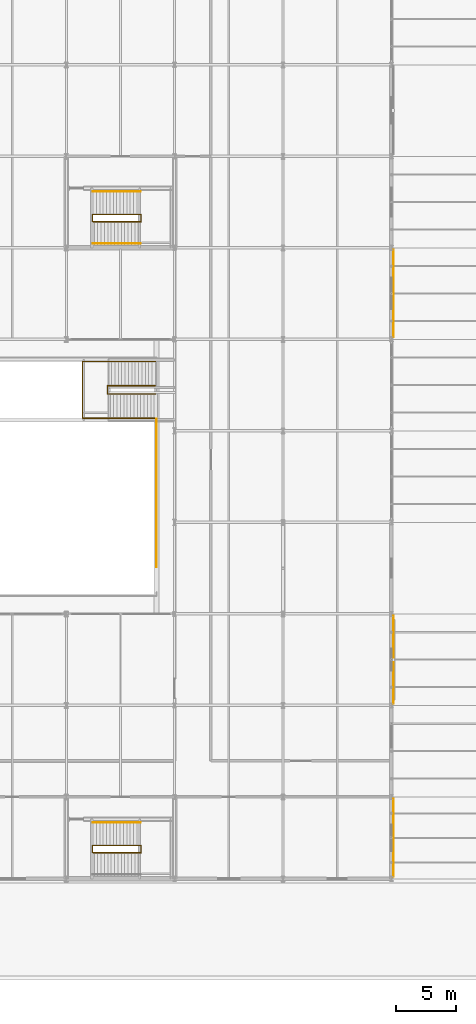
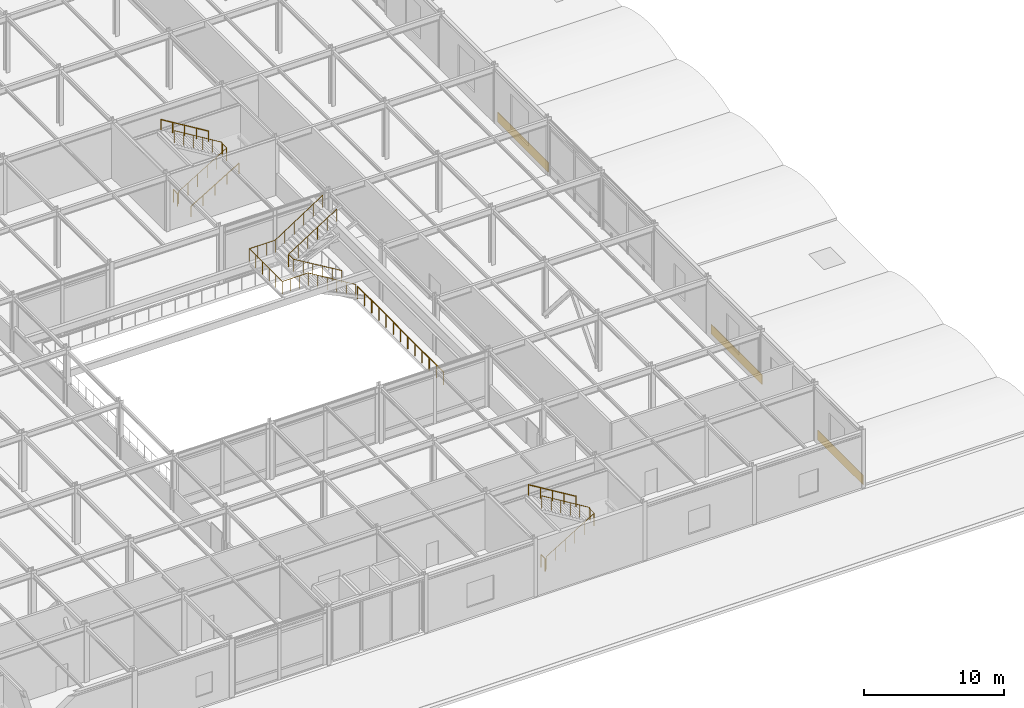
# One storey, part 112 of 113: 10 railings, 3 coverings.
"""IFC4 building model written with IfcOpenShell, lengths in metres."""

import ifcopenshell
import ifcopenshell.guid

model = None  # the IFC model being written
_history = None  # IfcOwnerHistory: only IFC2X3 demands one
_inside = {}  # id of a spatial element -> (the spatial element, [elements in it])
_under = {}  # id of a project, library or spatial element -> (it, [spatial elements below it])
_declared = {}  # id of a project -> (the project, [libraries it declares])
_typed = {}  # id of a type object -> (the type object, [elements of that type])
_made_of = {}  # id of a material, layer set ... -> (it, [elements and type objects made of it])


def new_model(schema):
    """Start an empty IFC model of exactly this schema.

    Asked for "IFC4X3", IfcOpenShell would pick the latest addendum, in which some entities
    have other attributes; the version numbers below select the first issue.
    IFC2X3 requires an IfcOwnerHistory on every rooted entity: one is made here for all.
    """
    global model, _history
    if schema == "IFC4X3":
        model = ifcopenshell.file(schema_version=(4, 3, 0, 0))
    else:
        model = ifcopenshell.file(schema=schema)
    _inside.clear()
    _under.clear()
    _declared.clear()
    _typed.clear()
    _made_of.clear()
    _history = None
    if model.schema == "IFC2X3":
        org = make("IfcOrganization", Name="unknown")
        user = make(
            "IfcPersonAndOrganization",
            ThePerson=make("IfcPerson", FamilyName="unknown"),
            TheOrganization=org,
        )
        app = make(
            "IfcApplication",
            ApplicationDeveloper=org,
            Version="unknown",
            ApplicationFullName="unknown",
            ApplicationIdentifier="unknown",
        )
        _history = make(
            "IfcOwnerHistory",
            OwningUser=user,
            OwningApplication=app,
            ChangeAction="ADDED",
            CreationDate=0,
        )
    return model


def make(cls, **values):
    """One entity of the class cls with the attributes given. An attribute that is None is left unset."""
    return model.create_entity(
        cls, **{name: value for name, value in values.items() if value is not None}
    )


def rooted(cls, **values):
    """An entity with a GlobalId (a new one), such as an element, a storey or a relation."""
    return make(cls, GlobalId=ifcopenshell.guid.new(), OwnerHistory=_history, **values)


def si_unit(unit_type, name, prefix=None):
    """IfcSIUnit, for example si_unit("LENGTHUNIT", "METRE", prefix="MILLI")."""
    return make("IfcSIUnit", UnitType=unit_type, Prefix=prefix, Name=name)


def assignment(units):
    """IfcUnitAssignment: the units of a project."""
    return None if units is None else make("IfcUnitAssignment", Units=units)


def point(xyz):
    """IfcCartesianPoint."""
    return None if xyz is None else make("IfcCartesianPoint", Coordinates=xyz)


def direction(xyz):
    """IfcDirection."""
    return None if xyz is None else make("IfcDirection", DirectionRatios=xyz)


def frame(location, z_axis=None, x_axis=None):
    """IfcAxis2Placement3D, a coordinate frame: its origin and axes. An axis left out is left unset."""
    return make(
        "IfcAxis2Placement3D",
        Location=point(location),
        Axis=direction(z_axis),
        RefDirection=direction(x_axis),
    )


def frame_2d(location, x_axis=None):
    """IfcAxis2Placement2D, a coordinate frame in the plane: its origin and x axis."""
    return make(
        "IfcAxis2Placement2D", Location=point(location), RefDirection=direction(x_axis)
    )


def origin():
    """The frame at (0, 0, 0) with its axes left unset."""
    return frame((0.0, 0.0, 0.0))


def origin_2d():
    """The frame at (0, 0) in the plane with its x axis left unset."""
    return frame_2d((0.0, 0.0))


def place(relative_to, where):
    """IfcLocalPlacement: puts the frame where relative to a parent placement (None: the world)."""
    return make(
        "IfcLocalPlacement", PlacementRelTo=relative_to, RelativePlacement=where
    )


def context(
    kind, dimensions, precision=None, world=None, true_north=None, identifier=None
):
    """IfcGeometricRepresentationContext, for example the 3D "Model" context."""
    return make(
        "IfcGeometricRepresentationContext",
        ContextIdentifier=identifier,
        ContextType=kind,
        CoordinateSpaceDimension=dimensions,
        Precision=precision,
        WorldCoordinateSystem=world,
        TrueNorth=true_north,
    )


def subcontext(parent, identifier, kind, view, scale=None):
    """IfcGeometricRepresentationSubContext, for example "Body" below "Model"."""
    return make(
        "IfcGeometricRepresentationSubContext",
        ContextIdentifier=identifier,
        ContextType=kind,
        ParentContext=parent,
        TargetScale=scale,
        TargetView=view,
    )


def project(units=None, contexts=None):
    """IfcProject with its units and contexts."""
    return rooted(
        "IfcProject",
        Name="project",
        RepresentationContexts=contexts,
        UnitsInContext=assignment(units),
    )


def spatial(cls, under=None, at=None, **own):
    """A site, building, storey or space (cls), placed at a placement, below another one or the project."""
    s = rooted(cls, ObjectPlacement=at, **own)
    if under is not None:
        _under.setdefault(under.id(), (under, []))[1].append(s)
    return s


def profile(cls, at=None, kind="AREA", **sizes):
    """A parametric profile (cls). Its sizes go by their IFC names, for example OverallWidth=200.0."""
    return make(cls, ProfileType=kind, Position=at, **sizes)


def rectangle(**sizes):
    """IfcRectangleProfileDef."""
    return profile("IfcRectangleProfileDef", **sizes)


def circle(**sizes):
    """IfcCircleProfileDef."""
    return profile("IfcCircleProfileDef", **sizes)


def extrude(swept, where, along, depth):
    """IfcExtrudedAreaSolid: the profile swept, set in the frame where, extruded along a direction by depth."""
    return make(
        "IfcExtrudedAreaSolid",
        SweptArea=swept,
        Position=where,
        ExtrudedDirection=direction(along),
        Depth=depth,
    )


def shape(context_of_items, identifier, shape_type, items):
    """IfcShapeRepresentation: the items that make up one representation, for example the "Body"."""
    return make(
        "IfcShapeRepresentation",
        ContextOfItems=context_of_items,
        RepresentationIdentifier=identifier,
        RepresentationType=shape_type,
        Items=items,
    )


def material(Name=None, Category=None):
    """IfcMaterial."""
    return make("IfcMaterial", Name=Name, Category=Category)


def layer(
    of_material, thickness, ventilated=None, Name=None, Category=None, Priority=None
):
    """IfcMaterialLayer: one layer of a wall or slab, of a material (None: an air gap)."""
    return make(
        "IfcMaterialLayer",
        Material=of_material,
        LayerThickness=thickness,
        IsVentilated=ventilated,
        Name=Name,
        Category=Category,
        Priority=Priority,
    )


def layer_set(layers, Name=None):
    """IfcMaterialLayerSet."""
    return make("IfcMaterialLayerSet", MaterialLayers=layers, LayerSetName=Name)


def made_of(thing, what):
    """Note that an element or type object is made of a material, layer set ...; save() writes the relation."""
    if what is not None:
        _made_of.setdefault(what.id(), (what, []))[1].append(thing)
    return thing


def type_object(cls, material=None, **own):
    """A type object (cls), such as IfcWallType, which elements share."""
    return made_of(rooted(cls, **own), material)


def element(
    cls,
    number,
    at=None,
    inside=None,
    cuts=None,
    type_object=None,
    material=None,
    context=None,
    identifier="Body",
    shape_type=None,
    held_by="IfcProductDefinitionShape",
    body=None,
    shapes=None,
    **own,
):
    """One element of the class cls, such as IfcWall. Its Tag is "e" and its number.

    at: its placement. inside: the storey or other place that contains it. cuts: it is an
    opening in that element (IfcRelVoidsElement). A single representation is given by context,
    identifier, shape_type and body (its items); several are given by shapes. held_by: the class
    of the entity that holds the representations. save() writes the other relations.
    """
    e = rooted(cls, Tag="e%d" % number, ObjectPlacement=at, **own)
    if body is not None:
        shapes = [shape(context, identifier, shape_type, body)]
    if shapes is not None:
        e.Representation = make(held_by, Representations=shapes)
    if inside is not None:
        _inside.setdefault(inside.id(), (inside, []))[1].append(e)
    if cuts is not None:
        rooted(
            "IfcRelVoidsElement", RelatingBuildingElement=cuts, RelatedOpeningElement=e
        )
    if type_object is not None:
        _typed.setdefault(type_object.id(), (type_object, []))[1].append(e)
    return made_of(e, material)


def aggregate(whole, parts):
    """IfcRelAggregates: a whole, such as a stair, and the parts it consists of."""
    return rooted("IfcRelAggregates", RelatingObject=whole, RelatedObjects=parts)


def save(model, path):
    """Write the relations noted so far, then the file.

    IfcRelAggregates (storeys below a building ...), IfcRelContainedInSpatialStructure (elements
    in a storey), IfcRelDefinesByType, IfcRelAssociatesMaterial and IfcRelDeclares: one each for
    every whole, place, type object, material and project.
    """
    for whole, parts in _under.values():
        aggregate(whole, parts)
    for where, things in _inside.values():
        rooted(
            "IfcRelContainedInSpatialStructure",
            RelatedElements=things,
            RelatingStructure=where,
        )
    for kind, things in _typed.values():
        rooted("IfcRelDefinesByType", RelatedObjects=things, RelatingType=kind)
    for what, things in _made_of.values():
        rooted("IfcRelAssociatesMaterial", RelatedObjects=things, RelatingMaterial=what)
    for by, libraries in _declared.values():
        rooted("IfcRelDeclares", RelatingContext=by, RelatedDefinitions=libraries)
    model.write(path)


model = new_model("IFC4")

# Units and contexts
model_context = context("Model", 3, precision=1e-05, world=origin(), true_north=direction((0.0, 1.0)))
body_context = subcontext(model_context, "Body", "Model", "MODEL_VIEW")
ifc_project = project(units=[si_unit("LENGTHUNIT", "METRE"), si_unit("AREAUNIT", "SQUARE_METRE"), si_unit("VOLUMEUNIT", "CUBIC_METRE"), si_unit("PLANEANGLEUNIT", "RADIAN"), si_unit("MASSUNIT", "GRAM", prefix="KILO")], contexts=[model_context])

# Site, building, storey
site_placement = place(None, origin())
site = spatial("IfcSite", under=ifc_project, at=site_placement, CompositionType="ELEMENT")
building_placement = place(site_placement, origin())
building = spatial("IfcBuilding", under=site, at=building_placement, Name="Shalkamar Park Central Library", CompositionType="ELEMENT")
storey_placement = place(building_placement, frame((0.0, 0.0, 5.39990234375)))
storey = spatial("IfcBuildingStorey", under=building, at=storey_placement, Name="L02", CompositionType="ELEMENT", Elevation=5.39990234375)

# Railing
ifc_material_1 = material(Name="Steel S355", Category="steel")
railing_type_1 = type_object("IfcRailingType", Name="Atrium Balustrade Guard 1100", PredefinedType="GUARDRAIL", material=ifc_material_1)
railing_1_placement = place(storey_placement, frame((253.5, 274.300048828125, 0.0)))
element("IfcRailing", 1, at=railing_1_placement, inside=storey, type_object=railing_type_1, Name="Atrium Void Balustrade L02 East Mid", PredefinedType="GUARDRAIL", context=body_context, shape_type="SweptSolid", body=[
    extrude(circle(Radius=0.02392578125, at=origin_2d()), frame((0.0, 0.0, 1.076171875), z_axis=(0.0, 1.0, 0.0), x_axis=(-1.0, 0.0, 0.0)), (0.0, 0.0, 1.0), 12.300048828125),
    extrude(circle(Radius=0.02099609375, at=origin_2d()), origin(), (0.0, 0.0, 1.0), 1.052001953125),
    extrude(circle(Radius=0.02099609375, at=origin_2d()), frame((0.0, 1.02490234375, 0.0)), (0.0, 0.0, 1.0), 1.052001953125),
    extrude(circle(Radius=0.02099609375, at=origin_2d()), frame((0.0, 2.050048828125, 0.0)), (0.0, 0.0, 1.0), 1.052001953125),
    extrude(circle(Radius=0.02099609375, at=origin_2d()), frame((0.0, 3.074951171875, 0.0)), (0.0, 0.0, 1.0), 1.052001953125),
    extrude(circle(Radius=0.02099609375, at=origin_2d()), frame((0.0, 4.10009765625, 0.0)), (0.0, 0.0, 1.0), 1.052001953125),
    extrude(circle(Radius=0.02099609375, at=origin_2d()), frame((0.0, 5.125, 0.0)), (0.0, 0.0, 1.0), 1.052001953125),
    extrude(circle(Radius=0.02099609375, at=origin_2d()), frame((0.0, 6.14990234375, 0.0)), (0.0, 0.0, 1.0), 1.052001953125),
    extrude(circle(Radius=0.02099609375, at=origin_2d()), frame((0.0, 7.175048828125, 0.0)), (0.0, 0.0, 1.0), 1.052001953125),
    extrude(circle(Radius=0.02099609375, at=origin_2d()), frame((0.0, 8.199951171875, 0.0)), (0.0, 0.0, 1.0), 1.052001953125),
    extrude(circle(Radius=0.02099609375, at=origin_2d()), frame((0.0, 9.22509765625, 0.0)), (0.0, 0.0, 1.0), 1.052001953125),
    extrude(circle(Radius=0.02099609375, at=origin_2d()), frame((0.0, 10.25, 0.0)), (0.0, 0.0, 1.0), 1.052001953125),
    extrude(circle(Radius=0.02099609375, at=origin_2d()), frame((0.0, 11.275146484375, 0.0)), (0.0, 0.0, 1.0), 1.052001953125),
    extrude(circle(Radius=0.02099609375, at=origin_2d()), frame((0.0, 12.300048828125, 0.0)), (0.0, 0.0, 1.0), 1.052001953125),
])

# Coverings
ifc_material_2 = material(Name="Granite and travertine stone cladding", Category="masonry")
ifc_layer = layer(ifc_material_2, 0.0400390625)
ifc_layer_set = layer_set([ifc_layer], Name="GraniteTravertineCladdingPanel")
covering_type = type_object("IfcCoveringType", Name="Granite Travertine Cladding Panel", PredefinedType="CLADDING", material=ifc_layer_set)
covering_placement = place(storey_placement, frame((273.160888671875, 251.800048828125, 0.0), z_axis=(0.0, 0.0, 1.0), x_axis=(1.0, 0.0, 0.0)))
element("IfcCovering", 2, at=covering_placement, inside=storey, type_object=covering_type, Name="Granite and Travertine Cladding Panel L02-014", PredefinedType="CLADDING", context=body_context, shape_type="SweptSolid", body=[
    extrude(rectangle(XDim=0.0400390625, YDim=6.488037109375, at=origin_2d()), origin(), (0.0, 0.0, 1.0), 0.85009765625),
])
for number, where, z_axis, x_axis, name in (
    (3, (273.160888671875, 266.60009765625, 0.0), (0.0, 0.0, 1.0), (1.0, 0.0, 0.0), "Granite and Travertine Cladding Panel L02-015"),
    (4, (273.160888671875, 297.0, 0.0), (0.0, 0.0, 1.0), (1.0, 0.0, 0.0), "Granite and Travertine Cladding Panel L02-016"),
):
    element("IfcCovering", number, at=place(storey_placement, frame(where, z_axis=z_axis, x_axis=x_axis)), inside=storey, type_object=covering_type, Name=name, PredefinedType="CLADDING", context=body_context, shape_type="SweptSolid", body=[
        extrude(rectangle(XDim=0.0400390625, YDim=7.2880859375, at=origin_2d()), origin(), (0.0, 0.0, 1.0), 0.85009765625),
    ])

# Railings
railing_type_2 = type_object("IfcRailingType", Name="Stair Guardrail 1100", PredefinedType="GUARDRAIL", material=ifc_material_1)
railing_2_placement = place(storey_placement, frame((248.22509765625, 250.56494140625, 0.170166015625)))
element("IfcRailing", 5, at=railing_2_placement, inside=storey, type_object=railing_type_2, Name="Stair Inner Well Guardrail ST-P3-L02", PredefinedType="GUARDRAIL", context=body_context, shape_type="SweptSolid", body=[
    extrude(circle(Radius=0.02392578125, at=origin_2d()), frame((0.0, 0.0, 1.076171875), z_axis=(0.854794262968, 0.0, 0.518967020143), x_axis=(0.0, 1.0, 0.0)), (0.0, 0.0, 1.0), 4.585693359375),
    extrude(circle(Radius=0.02392578125, at=origin_2d()), frame((3.919921875, 0.0, 3.4560546875), z_axis=(1.0, 0.0, 0.0), x_axis=(0.0, 1.0, 0.0)), (0.0, 0.0, 1.0), 0.06005859375),
    extrude(circle(Radius=0.02392578125, at=origin_2d()), frame((3.97998046875, 0.0, 3.4560546875), z_axis=(0.0, 1.0, 0.0), x_axis=(-1.0, 0.0, 0.0)), (0.0, 0.0, 1.0), 0.6201171875),
    extrude(circle(Radius=0.02392578125, at=origin_2d()), frame((3.97998046875, 0.6201171875, 3.4560546875), z_axis=(-0.332820117735, 0.0, 0.942990333583), x_axis=(0.0, -1.0, 0.0)), (0.0, 0.0, 1.0), 0.180419921875),
    extrude(circle(Radius=0.02392578125, at=origin_2d()), frame((3.919921875, 0.6201171875, 3.6259765625), z_axis=(-0.854794262968, 0.0, 0.518967020143), x_axis=(0.0, -1.0, 0.0)), (0.0, 0.0, 1.0), 4.585693359375),
    extrude(circle(Radius=0.02099609375, at=origin_2d()), origin(), (0.0, 0.0, 1.0), 1.052001953125),
    extrude(circle(Radius=0.02099609375, at=origin_2d()), frame((0.783935546875, 0.0, 0.47607421875)), (0.0, 0.0, 1.0), 1.052001953125),
    extrude(circle(Radius=0.02099609375, at=origin_2d()), frame((1.56787109375, 0.0, 0.951904296875)), (0.0, 0.0, 1.0), 1.052001953125),
    extrude(circle(Radius=0.02099609375, at=origin_2d()), frame((2.35205078125, 0.0, 1.427978515625)), (0.0, 0.0, 1.0), 1.052001953125),
    extrude(circle(Radius=0.02099609375, at=origin_2d()), frame((3.135986328125, 0.0, 1.90380859375)), (0.0, 0.0, 1.0), 1.052001953125),
    extrude(circle(Radius=0.02099609375, at=origin_2d()), frame((3.919921875, 0.0, 2.3798828125)), (0.0, 0.0, 1.0), 1.052001953125),
    extrude(circle(Radius=0.02099609375, at=origin_2d()), frame((3.97998046875, 0.0, 2.3798828125)), (0.0, 0.0, 1.0), 1.052001953125),
    extrude(circle(Radius=0.02099609375, at=origin_2d()), frame((3.97998046875, 0.6201171875, 2.3798828125)), (0.0, 0.0, 1.0), 1.052001953125),
    extrude(circle(Radius=0.02099609375, at=origin_2d()), frame((3.919921875, 0.6201171875, 2.550048828125)), (0.0, 0.0, 1.0), 1.052001953125),
    extrude(circle(Radius=0.02099609375, at=origin_2d()), frame((3.135986328125, 0.6201171875, 3.026123046875)), (0.0, 0.0, 1.0), 1.052001953125),
    extrude(circle(Radius=0.02099609375, at=origin_2d()), frame((2.35205078125, 0.6201171875, 3.501953125)), (0.0, 0.0, 1.0), 1.052001953125),
    extrude(circle(Radius=0.02099609375, at=origin_2d()), frame((1.56787109375, 0.6201171875, 3.97802734375)), (0.0, 0.0, 1.0), 1.052001953125),
    extrude(circle(Radius=0.02099609375, at=origin_2d()), frame((0.783935546875, 0.6201171875, 4.453857421875)), (0.0, 0.0, 1.0), 1.052001953125),
    extrude(circle(Radius=0.02099609375, at=origin_2d()), frame((0.0, 0.6201171875, 4.929931640625)), (0.0, 0.0, 1.0), 1.052001953125),
])
railing_3_placement = place(storey_placement, frame((248.1650390625, 250.574951171875, 0.0)))
element("IfcRailing", 6, at=railing_3_placement, inside=storey, type_object=railing_type_2, Name="Stair Arrival Well Guardrail ST-P3 (L02)", PredefinedType="GUARDRAIL", context=body_context, shape_type="SweptSolid", body=[
    extrude(circle(Radius=0.02392578125, at=origin_2d()), frame((0.0, 0.0, 1.076171875), z_axis=(0.0, 1.0, 0.0), x_axis=(-1.0, 0.0, 0.0)), (0.0, 0.0, 1.0), 0.60009765625),
    extrude(circle(Radius=0.02099609375, at=origin_2d()), origin(), (0.0, 0.0, 1.0), 1.052001953125),
    extrude(circle(Radius=0.02099609375, at=origin_2d()), frame((0.0, 0.60009765625, 0.0)), (0.0, 0.0, 1.0), 1.052001953125),
])
railing_4_placement = place(storey_placement, frame((248.22509765625, 302.965087890625, 0.170166015625)))
element("IfcRailing", 7, at=railing_4_placement, inside=storey, type_object=railing_type_2, Name="Stair Inner Well Guardrail ST-P4-L02", PredefinedType="GUARDRAIL", context=body_context, shape_type="SweptSolid", body=[
    extrude(circle(Radius=0.02392578125, at=origin_2d()), frame((0.0, 0.0, 1.076171875), z_axis=(0.854794262968, 0.0, 0.518967020143), x_axis=(0.0, 1.0, 0.0)), (0.0, 0.0, 1.0), 4.585693359375),
    extrude(circle(Radius=0.02392578125, at=origin_2d()), frame((3.919921875, 0.0, 3.4560546875), z_axis=(1.0, 0.0, 0.0), x_axis=(0.0, 1.0, 0.0)), (0.0, 0.0, 1.0), 0.06005859375),
    extrude(circle(Radius=0.02392578125, at=origin_2d()), frame((3.97998046875, 0.0, 3.4560546875), z_axis=(0.0, 1.0, 0.0), x_axis=(-1.0, 0.0, 0.0)), (0.0, 0.0, 1.0), 0.619873046875),
    extrude(circle(Radius=0.02392578125, at=origin_2d()), frame((3.97998046875, 0.619873046875, 3.4560546875), z_axis=(-0.332820117735, 0.0, 0.942990333583), x_axis=(0.0, -1.0, 0.0)), (0.0, 0.0, 1.0), 0.180419921875),
    extrude(circle(Radius=0.02392578125, at=origin_2d()), frame((3.919921875, 0.619873046875, 3.6259765625), z_axis=(-0.854794262968, 0.0, 0.518967020143), x_axis=(0.0, -1.0, 0.0)), (0.0, 0.0, 1.0), 4.585693359375),
    extrude(circle(Radius=0.02099609375, at=origin_2d()), origin(), (0.0, 0.0, 1.0), 1.052001953125),
    extrude(circle(Radius=0.02099609375, at=origin_2d()), frame((0.783935546875, 0.0, 0.47607421875)), (0.0, 0.0, 1.0), 1.052001953125),
    extrude(circle(Radius=0.02099609375, at=origin_2d()), frame((1.56787109375, 0.0, 0.951904296875)), (0.0, 0.0, 1.0), 1.052001953125),
    extrude(circle(Radius=0.02099609375, at=origin_2d()), frame((2.35205078125, 0.0, 1.427978515625)), (0.0, 0.0, 1.0), 1.052001953125),
    extrude(circle(Radius=0.02099609375, at=origin_2d()), frame((3.135986328125, 0.0, 1.90380859375)), (0.0, 0.0, 1.0), 1.052001953125),
    extrude(circle(Radius=0.02099609375, at=origin_2d()), frame((3.919921875, 0.0, 2.3798828125)), (0.0, 0.0, 1.0), 1.052001953125),
    extrude(circle(Radius=0.02099609375, at=origin_2d()), frame((3.97998046875, 0.0, 2.3798828125)), (0.0, 0.0, 1.0), 1.052001953125),
    extrude(circle(Radius=0.02099609375, at=origin_2d()), frame((3.97998046875, 0.619873046875, 2.3798828125)), (0.0, 0.0, 1.0), 1.052001953125),
    extrude(circle(Radius=0.02099609375, at=origin_2d()), frame((3.919921875, 0.619873046875, 2.550048828125)), (0.0, 0.0, 1.0), 1.052001953125),
    extrude(circle(Radius=0.02099609375, at=origin_2d()), frame((3.135986328125, 0.619873046875, 3.026123046875)), (0.0, 0.0, 1.0), 1.052001953125),
    extrude(circle(Radius=0.02099609375, at=origin_2d()), frame((2.35205078125, 0.619873046875, 3.501953125)), (0.0, 0.0, 1.0), 1.052001953125),
    extrude(circle(Radius=0.02099609375, at=origin_2d()), frame((1.56787109375, 0.619873046875, 3.97802734375)), (0.0, 0.0, 1.0), 1.052001953125),
    extrude(circle(Radius=0.02099609375, at=origin_2d()), frame((0.783935546875, 0.619873046875, 4.453857421875)), (0.0, 0.0, 1.0), 1.052001953125),
    extrude(circle(Radius=0.02099609375, at=origin_2d()), frame((0.0, 0.619873046875, 4.929931640625)), (0.0, 0.0, 1.0), 1.052001953125),
])
railing_5_placement = place(storey_placement, frame((248.1650390625, 302.97509765625, 0.0)))
element("IfcRailing", 8, at=railing_5_placement, inside=storey, type_object=railing_type_2, Name="Stair Arrival Well Guardrail ST-P4 (L02)", PredefinedType="GUARDRAIL", context=body_context, shape_type="SweptSolid", body=[
    extrude(circle(Radius=0.02392578125, at=origin_2d()), frame((0.0, 0.0, 1.076171875), z_axis=(0.0, 1.0, 0.0), x_axis=(-1.0, 0.0, 0.0)), (0.0, 0.0, 1.0), 0.599853515625),
    extrude(circle(Radius=0.02099609375, at=origin_2d()), origin(), (0.0, 0.0, 1.0), 1.052001953125),
    extrude(circle(Radius=0.02099609375, at=origin_2d()), frame((0.0, 0.599853515625, 0.0)), (0.0, 0.0, 1.0), 1.052001953125),
])
railing_6_placement = place(storey_placement, frame((253.39990234375, 286.64990234375, 0.170166015625)))
element("IfcRailing", 9, at=railing_6_placement, inside=storey, type_object=railing_type_2, Name="Monumental Stair ST-A2 Outer Guardrail", PredefinedType="GUARDRAIL", context=body_context, shape_type="SweptSolid", body=[
    extrude(circle(Radius=0.02392578125, at=origin_2d()), frame((0.0, 0.0, 1.076171875), z_axis=(-0.854794262968, 0.0, 0.518967020143), x_axis=(0.0, -1.0, 0.0)), (0.0, 0.0, 1.0), 4.585693359375),
    extrude(circle(Radius=0.02392578125, at=origin_2d()), frame((-3.919921875, 0.0, 3.4560546875), z_axis=(-1.0, 0.0, 0.0), x_axis=(0.0, -1.0, 0.0)), (0.0, 0.0, 1.0), 2.1298828125),
    extrude(circle(Radius=0.02392578125, at=origin_2d()), frame((-6.0498046875, 0.0, 3.4560546875), z_axis=(0.0, 1.0, 0.0), x_axis=(-1.0, 0.0, 0.0)), (0.0, 0.0, 1.0), 4.7001953125),
    extrude(circle(Radius=0.02392578125, at=origin_2d()), frame((-6.0498046875, 4.7001953125, 3.4560546875), z_axis=(1.0, 0.0, 0.0), x_axis=(0.0, 1.0, 0.0)), (0.0, 0.0, 1.0), 2.1298828125),
    extrude(circle(Radius=0.02392578125, at=origin_2d()), frame((-3.919921875, 4.7001953125, 3.4560546875), z_axis=(0.838238398293, 0.0, 0.545303940594), x_axis=(0.0, 1.0, 0.0)), (0.0, 0.0, 1.0), 4.67626953125),
    extrude(circle(Radius=0.02099609375, at=origin_2d()), origin(), (0.0, 0.0, 1.0), 1.052001953125),
    extrude(circle(Radius=0.02099609375, at=origin_2d()), frame((-0.783935546875, 0.0, 0.47607421875)), (0.0, 0.0, 1.0), 1.052001953125),
    extrude(circle(Radius=0.02099609375, at=origin_2d()), frame((-1.56787109375, 0.0, 0.951904296875)), (0.0, 0.0, 1.0), 1.052001953125),
    extrude(circle(Radius=0.02099609375, at=origin_2d()), frame((-2.35205078125, 0.0, 1.427978515625)), (0.0, 0.0, 1.0), 1.052001953125),
    extrude(circle(Radius=0.02099609375, at=origin_2d()), frame((-3.135986328125, 0.0, 1.90380859375)), (0.0, 0.0, 1.0), 1.052001953125),
    extrude(circle(Radius=0.02099609375, at=origin_2d()), frame((-3.919921875, 0.0, 2.3798828125)), (0.0, 0.0, 1.0), 1.052001953125),
    extrude(circle(Radius=0.02099609375, at=origin_2d()), frame((-4.6298828125, 0.0, 2.3798828125)), (0.0, 0.0, 1.0), 1.052001953125),
    extrude(circle(Radius=0.02099609375, at=origin_2d()), frame((-5.33984375, 0.0, 2.3798828125)), (0.0, 0.0, 1.0), 1.052001953125),
    extrude(circle(Radius=0.02099609375, at=origin_2d()), frame((-6.0498046875, 0.0, 2.3798828125)), (0.0, 0.0, 1.0), 1.052001953125),
    extrude(circle(Radius=0.02099609375, at=origin_2d()), frame((-6.0498046875, 0.93994140625, 2.3798828125)), (0.0, 0.0, 1.0), 1.052001953125),
    extrude(circle(Radius=0.02099609375, at=origin_2d()), frame((-6.0498046875, 1.880126953125, 2.3798828125)), (0.0, 0.0, 1.0), 1.052001953125),
    extrude(circle(Radius=0.02099609375, at=origin_2d()), frame((-6.0498046875, 2.820068359375, 2.3798828125)), (0.0, 0.0, 1.0), 1.052001953125),
    extrude(circle(Radius=0.02099609375, at=origin_2d()), frame((-6.0498046875, 3.76025390625, 2.3798828125)), (0.0, 0.0, 1.0), 1.052001953125),
    extrude(circle(Radius=0.02099609375, at=origin_2d()), frame((-6.0498046875, 4.7001953125, 2.3798828125)), (0.0, 0.0, 1.0), 1.052001953125),
    extrude(circle(Radius=0.02099609375, at=origin_2d()), frame((-5.33984375, 4.7001953125, 2.3798828125)), (0.0, 0.0, 1.0), 1.052001953125),
    extrude(circle(Radius=0.02099609375, at=origin_2d()), frame((-4.6298828125, 4.7001953125, 2.3798828125)), (0.0, 0.0, 1.0), 1.052001953125),
    extrude(circle(Radius=0.02099609375, at=origin_2d()), frame((-3.919921875, 4.7001953125, 2.3798828125)), (0.0, 0.0, 1.0), 1.052001953125),
    extrude(circle(Radius=0.02099609375, at=origin_2d()), frame((-3.135986328125, 4.7001953125, 2.889892578125)), (0.0, 0.0, 1.0), 1.052001953125),
    extrude(circle(Radius=0.02099609375, at=origin_2d()), frame((-2.35205078125, 4.7001953125, 3.39990234375)), (0.0, 0.0, 1.0), 1.052001953125),
    extrude(circle(Radius=0.02099609375, at=origin_2d()), frame((-1.56787109375, 4.7001953125, 3.909912109375)), (0.0, 0.0, 1.0), 1.052001953125),
    extrude(circle(Radius=0.02099609375, at=origin_2d()), frame((-0.783935546875, 4.7001953125, 4.419921875)), (0.0, 0.0, 1.0), 1.052001953125),
    extrude(circle(Radius=0.02099609375, at=origin_2d()), frame((0.0, 4.7001953125, 4.929931640625)), (0.0, 0.0, 1.0), 1.052001953125),
])
railing_7_placement = place(storey_placement, frame((253.39990234375, 288.64990234375, 0.170166015625)))
element("IfcRailing", 10, at=railing_7_placement, inside=storey, type_object=railing_type_2, Name="Monumental Stair ST-A2 Inner Well Guardrail", PredefinedType="GUARDRAIL", context=body_context, shape_type="SweptSolid", body=[
    extrude(circle(Radius=0.02392578125, at=origin_2d()), frame((0.0, 0.0, 1.076171875), z_axis=(-0.858263096776, 0.0, 0.513209953832), x_axis=(0.0, -1.0, 0.0)), (0.0, 0.0, 1.0), 4.63720703125),
    extrude(circle(Radius=0.02392578125, at=origin_2d()), frame((-3.97998046875, 0.0, 3.4560546875), z_axis=(0.0, 1.0, 0.0), x_axis=(-1.0, 0.0, 0.0)), (0.0, 0.0, 1.0), 0.7001953125),
    extrude(circle(Radius=0.02392578125, at=origin_2d()), frame((-3.97998046875, 0.7001953125, 3.4560546875), z_axis=(0.841996450472, 0.0, 0.539483064973), x_axis=(0.0, 1.0, 0.0)), (0.0, 0.0, 1.0), 4.726806640625),
    extrude(circle(Radius=0.02099609375, at=origin_2d()), origin(), (0.0, 0.0, 1.0), 1.052001953125),
    extrude(circle(Radius=0.02099609375, at=origin_2d()), frame((-0.7958984375, 0.0, 0.47607421875)), (0.0, 0.0, 1.0), 1.052001953125),
    extrude(circle(Radius=0.02099609375, at=origin_2d()), frame((-1.592041015625, 0.0, 0.951904296875)), (0.0, 0.0, 1.0), 1.052001953125),
    extrude(circle(Radius=0.02099609375, at=origin_2d()), frame((-2.387939453125, 0.0, 1.427978515625)), (0.0, 0.0, 1.0), 1.052001953125),
    extrude(circle(Radius=0.02099609375, at=origin_2d()), frame((-3.18408203125, 0.0, 1.90380859375)), (0.0, 0.0, 1.0), 1.052001953125),
    extrude(circle(Radius=0.02099609375, at=origin_2d()), frame((-3.97998046875, 0.0, 2.3798828125)), (0.0, 0.0, 1.0), 1.052001953125),
    extrude(circle(Radius=0.02099609375, at=origin_2d()), frame((-3.97998046875, 0.7001953125, 2.3798828125)), (0.0, 0.0, 1.0), 1.052001953125),
    extrude(circle(Radius=0.02099609375, at=origin_2d()), frame((-3.18408203125, 0.7001953125, 2.889892578125)), (0.0, 0.0, 1.0), 1.052001953125),
    extrude(circle(Radius=0.02099609375, at=origin_2d()), frame((-2.387939453125, 0.7001953125, 3.39990234375)), (0.0, 0.0, 1.0), 1.052001953125),
    extrude(circle(Radius=0.02099609375, at=origin_2d()), frame((-1.592041015625, 0.7001953125, 3.909912109375)), (0.0, 0.0, 1.0), 1.052001953125),
    extrude(circle(Radius=0.02099609375, at=origin_2d()), frame((-0.7958984375, 0.7001953125, 4.419921875)), (0.0, 0.0, 1.0), 1.052001953125),
    extrude(circle(Radius=0.02099609375, at=origin_2d()), frame((0.0, 0.7001953125, 4.929931640625)), (0.0, 0.0, 1.0), 1.052001953125),
])
railing_type_3 = type_object("IfcRailingType", Name="Stair Pitched Handrail 920", PredefinedType="HANDRAIL", material=ifc_material_1)
railing_8_placement = place(storey_placement, frame((252.14501953125, 253.074951171875, 2.72021484375)))
element("IfcRailing", 11, at=railing_8_placement, inside=storey, type_object=railing_type_3, Name="Stair Wall Handrail ST-P3-L02 Flight 2", PredefinedType="HANDRAIL", context=body_context, shape_type="SweptSolid", body=[
    extrude(circle(Radius=0.02392578125, at=origin_2d()), frame((0.0, 0.0, 0.89599609375), z_axis=(-0.854794262968, 0.0, 0.518967020143), x_axis=(0.0, -1.0, 0.0)), (0.0, 0.0, 1.0), 4.585693359375),
    extrude(circle(Radius=0.02099609375, at=origin_2d()), origin(), (0.0, 0.0, 1.0), 0.871826171875),
    extrude(circle(Radius=0.02099609375, at=origin_2d()), frame((-0.97998046875, 0.0, 0.594970703125)), (0.0, 0.0, 1.0), 0.871826171875),
    extrude(circle(Radius=0.02099609375, at=origin_2d()), frame((-1.9599609375, 0.0, 1.18994140625)), (0.0, 0.0, 1.0), 0.871826171875),
    extrude(circle(Radius=0.02099609375, at=origin_2d()), frame((-2.93994140625, 0.0, 1.784912109375)), (0.0, 0.0, 1.0), 0.871826171875),
    extrude(circle(Radius=0.02099609375, at=origin_2d()), frame((-3.919921875, 0.0, 2.3798828125)), (0.0, 0.0, 1.0), 0.871826171875),
])
railing_9_placement = place(storey_placement, frame((248.22509765625, 301.155029296875, 0.170166015625)))
element("IfcRailing", 12, at=railing_9_placement, inside=storey, type_object=railing_type_3, Name="Stair Wall Handrail ST-P4-L02 Flight 1", PredefinedType="HANDRAIL", context=body_context, shape_type="SweptSolid", body=[
    extrude(circle(Radius=0.02392578125, at=origin_2d()), frame((0.0, 0.0, 0.89599609375), z_axis=(0.854794262968, 0.0, 0.518967020143), x_axis=(0.0, 1.0, 0.0)), (0.0, 0.0, 1.0), 4.585693359375),
    extrude(circle(Radius=0.02099609375, at=origin_2d()), origin(), (0.0, 0.0, 1.0), 0.871826171875),
    extrude(circle(Radius=0.02099609375, at=origin_2d()), frame((0.97998046875, 0.0, 0.594970703125)), (0.0, 0.0, 1.0), 0.871826171875),
    extrude(circle(Radius=0.02099609375, at=origin_2d()), frame((1.9599609375, 0.0, 1.18994140625)), (0.0, 0.0, 1.0), 0.871826171875),
    extrude(circle(Radius=0.02099609375, at=origin_2d()), frame((2.93994140625, 0.0, 1.784912109375)), (0.0, 0.0, 1.0), 0.871826171875),
    extrude(circle(Radius=0.02099609375, at=origin_2d()), frame((3.919921875, 0.0, 2.3798828125)), (0.0, 0.0, 1.0), 0.871826171875),
])
railing_10_placement = place(storey_placement, frame((252.14501953125, 305.47509765625, 2.72021484375)))
element("IfcRailing", 13, at=railing_10_placement, inside=storey, type_object=railing_type_3, Name="Stair Wall Handrail ST-P4-L02 Flight 2", PredefinedType="HANDRAIL", context=body_context, shape_type="SweptSolid", body=[
    extrude(circle(Radius=0.02392578125, at=origin_2d()), frame((0.0, 0.0, 0.89599609375), z_axis=(-0.854794262968, 0.0, 0.518967020143), x_axis=(0.0, -1.0, 0.0)), (0.0, 0.0, 1.0), 4.585693359375),
    extrude(circle(Radius=0.02099609375, at=origin_2d()), origin(), (0.0, 0.0, 1.0), 0.871826171875),
    extrude(circle(Radius=0.02099609375, at=origin_2d()), frame((-0.97998046875, 0.0, 0.594970703125)), (0.0, 0.0, 1.0), 0.871826171875),
    extrude(circle(Radius=0.02099609375, at=origin_2d()), frame((-1.9599609375, 0.0, 1.18994140625)), (0.0, 0.0, 1.0), 0.871826171875),
    extrude(circle(Radius=0.02099609375, at=origin_2d()), frame((-2.93994140625, 0.0, 1.784912109375)), (0.0, 0.0, 1.0), 0.871826171875),
    extrude(circle(Radius=0.02099609375, at=origin_2d()), frame((-3.919921875, 0.0, 2.3798828125)), (0.0, 0.0, 1.0), 0.871826171875),
])

save(model, "model.ifc")
